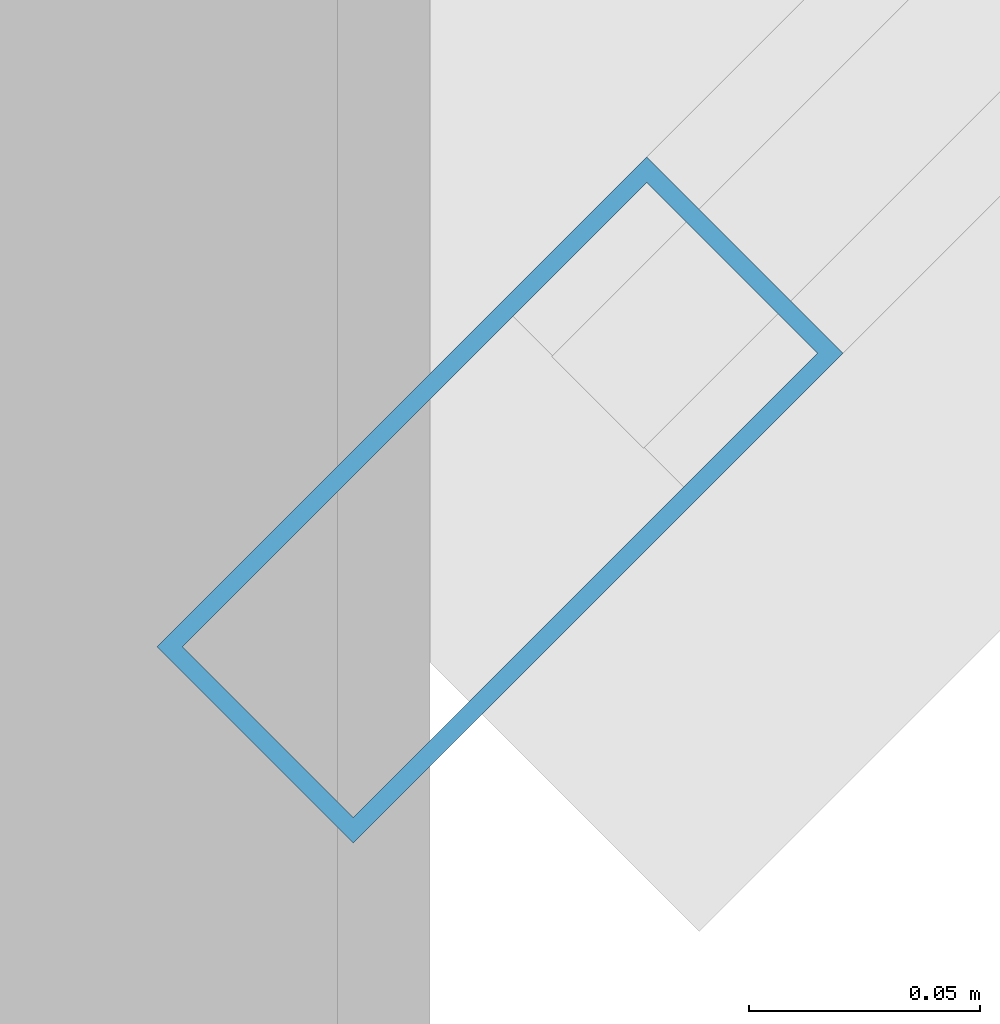
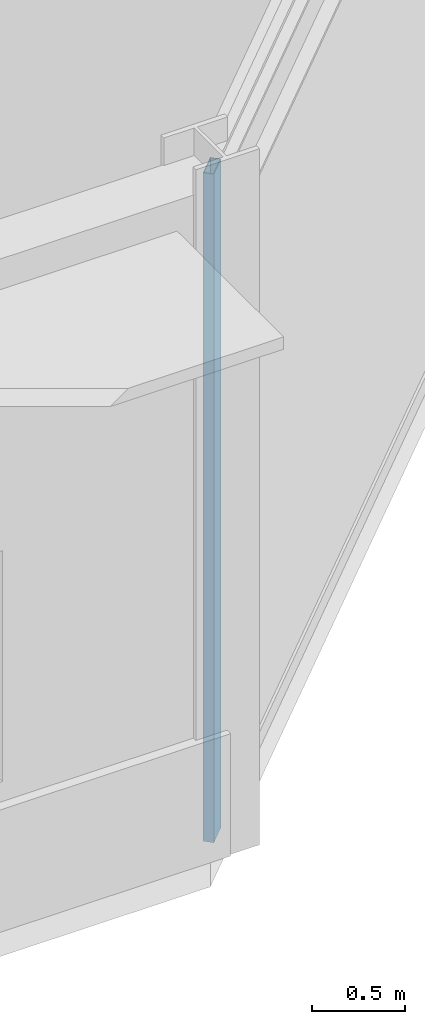
# One storey, part 53 of 157: 1 member, 1 element without a shape of its own.
"""IFC4 building model written with IfcOpenShell, lengths in metres."""

import ifcopenshell
import ifcopenshell.guid

model = None  # the IFC model being written
_history = None  # IfcOwnerHistory: only IFC2X3 demands one
_inside = {}  # id of a spatial element -> (the spatial element, [elements in it])
_under = {}  # id of a project, library or spatial element -> (it, [spatial elements below it])
_declared = {}  # id of a project -> (the project, [libraries it declares])
_typed = {}  # id of a type object -> (the type object, [elements of that type])
_made_of = {}  # id of a material, layer set ... -> (it, [elements and type objects made of it])


def new_model(schema):
    """Start an empty IFC model of exactly this schema.

    Asked for "IFC4X3", IfcOpenShell would pick the latest addendum, in which some entities
    have other attributes; the version numbers below select the first issue.
    IFC2X3 requires an IfcOwnerHistory on every rooted entity: one is made here for all.
    """
    global model, _history
    if schema == "IFC4X3":
        model = ifcopenshell.file(schema_version=(4, 3, 0, 0))
    else:
        model = ifcopenshell.file(schema=schema)
    _inside.clear()
    _under.clear()
    _declared.clear()
    _typed.clear()
    _made_of.clear()
    _history = None
    if model.schema == "IFC2X3":
        org = make("IfcOrganization", Name="unknown")
        user = make(
            "IfcPersonAndOrganization",
            ThePerson=make("IfcPerson", FamilyName="unknown"),
            TheOrganization=org,
        )
        app = make(
            "IfcApplication",
            ApplicationDeveloper=org,
            Version="unknown",
            ApplicationFullName="unknown",
            ApplicationIdentifier="unknown",
        )
        _history = make(
            "IfcOwnerHistory",
            OwningUser=user,
            OwningApplication=app,
            ChangeAction="ADDED",
            CreationDate=0,
        )
    return model


def make(cls, **values):
    """One entity of the class cls with the attributes given. An attribute that is None is left unset."""
    return model.create_entity(
        cls, **{name: value for name, value in values.items() if value is not None}
    )


def rooted(cls, **values):
    """An entity with a GlobalId (a new one), such as an element, a storey or a relation."""
    return make(cls, GlobalId=ifcopenshell.guid.new(), OwnerHistory=_history, **values)


def si_unit(unit_type, name, prefix=None):
    """IfcSIUnit, for example si_unit("LENGTHUNIT", "METRE", prefix="MILLI")."""
    return make("IfcSIUnit", UnitType=unit_type, Prefix=prefix, Name=name)


def assignment(units):
    """IfcUnitAssignment: the units of a project."""
    return None if units is None else make("IfcUnitAssignment", Units=units)


def point(xyz):
    """IfcCartesianPoint."""
    return None if xyz is None else make("IfcCartesianPoint", Coordinates=xyz)


def direction(xyz):
    """IfcDirection."""
    return None if xyz is None else make("IfcDirection", DirectionRatios=xyz)


def frame(location, z_axis=None, x_axis=None):
    """IfcAxis2Placement3D, a coordinate frame: its origin and axes. An axis left out is left unset."""
    return make(
        "IfcAxis2Placement3D",
        Location=point(location),
        Axis=direction(z_axis),
        RefDirection=direction(x_axis),
    )


def frame_2d(location, x_axis=None):
    """IfcAxis2Placement2D, a coordinate frame in the plane: its origin and x axis."""
    return make(
        "IfcAxis2Placement2D", Location=point(location), RefDirection=direction(x_axis)
    )


def origin():
    """The frame at (0, 0, 0) with its axes left unset."""
    return frame((0.0, 0.0, 0.0))


def origin_2d():
    """The frame at (0, 0) in the plane with its x axis left unset."""
    return frame_2d((0.0, 0.0))


def place(relative_to, where):
    """IfcLocalPlacement: puts the frame where relative to a parent placement (None: the world)."""
    return make(
        "IfcLocalPlacement", PlacementRelTo=relative_to, RelativePlacement=where
    )


def context(
    kind, dimensions, precision=None, world=None, true_north=None, identifier=None
):
    """IfcGeometricRepresentationContext, for example the 3D "Model" context."""
    return make(
        "IfcGeometricRepresentationContext",
        ContextIdentifier=identifier,
        ContextType=kind,
        CoordinateSpaceDimension=dimensions,
        Precision=precision,
        WorldCoordinateSystem=world,
        TrueNorth=true_north,
    )


def subcontext(parent, identifier, kind, view, scale=None):
    """IfcGeometricRepresentationSubContext, for example "Body" below "Model"."""
    return make(
        "IfcGeometricRepresentationSubContext",
        ContextIdentifier=identifier,
        ContextType=kind,
        ParentContext=parent,
        TargetScale=scale,
        TargetView=view,
    )


def project(units=None, contexts=None):
    """IfcProject with its units and contexts."""
    return rooted(
        "IfcProject",
        Name="project",
        RepresentationContexts=contexts,
        UnitsInContext=assignment(units),
    )


def spatial(cls, under=None, at=None, **own):
    """A site, building, storey or space (cls), placed at a placement, below another one or the project."""
    s = rooted(cls, ObjectPlacement=at, **own)
    if under is not None:
        _under.setdefault(under.id(), (under, []))[1].append(s)
    return s


def profile(cls, at=None, kind="AREA", **sizes):
    """A parametric profile (cls). Its sizes go by their IFC names, for example OverallWidth=200.0."""
    return make(cls, ProfileType=kind, Position=at, **sizes)


def hollow_rectangle(**sizes):
    """IfcRectangleHollowProfileDef."""
    return profile("IfcRectangleHollowProfileDef", **sizes)


def extrude(swept, where, along, depth):
    """IfcExtrudedAreaSolid: the profile swept, set in the frame where, extruded along a direction by depth."""
    return make(
        "IfcExtrudedAreaSolid",
        SweptArea=swept,
        Position=where,
        ExtrudedDirection=direction(along),
        Depth=depth,
    )


def shape(context_of_items, identifier, shape_type, items):
    """IfcShapeRepresentation: the items that make up one representation, for example the "Body"."""
    return make(
        "IfcShapeRepresentation",
        ContextOfItems=context_of_items,
        RepresentationIdentifier=identifier,
        RepresentationType=shape_type,
        Items=items,
    )


def material(Name=None, Category=None):
    """IfcMaterial."""
    return make("IfcMaterial", Name=Name, Category=Category)


def material_profile(
    of_material, cross_section, Name=None, Category=None, Priority=None
):
    """IfcMaterialProfile: a cross section and its material."""
    return make(
        "IfcMaterialProfile",
        Name=Name,
        Material=of_material,
        Profile=cross_section,
        Priority=Priority,
        Category=Category,
    )


def profile_set(profiles, Name=None, composite=None):
    """IfcMaterialProfileSet."""
    return make(
        "IfcMaterialProfileSet",
        Name=Name,
        MaterialProfiles=profiles,
        CompositeProfile=composite,
    )


def made_of(thing, what):
    """Note that an element or type object is made of a material, layer set ...; save() writes the relation."""
    if what is not None:
        _made_of.setdefault(what.id(), (what, []))[1].append(thing)
    return thing


def type_object(cls, material=None, **own):
    """A type object (cls), such as IfcWallType, which elements share."""
    return made_of(rooted(cls, **own), material)


def element(
    cls,
    number,
    at=None,
    inside=None,
    cuts=None,
    type_object=None,
    material=None,
    context=None,
    identifier="Body",
    shape_type=None,
    held_by="IfcProductDefinitionShape",
    body=None,
    shapes=None,
    **own,
):
    """One element of the class cls, such as IfcWall. Its Tag is "e" and its number.

    at: its placement. inside: the storey or other place that contains it. cuts: it is an
    opening in that element (IfcRelVoidsElement). A single representation is given by context,
    identifier, shape_type and body (its items); several are given by shapes. held_by: the class
    of the entity that holds the representations. save() writes the other relations.
    """
    e = rooted(cls, Tag="e%d" % number, ObjectPlacement=at, **own)
    if body is not None:
        shapes = [shape(context, identifier, shape_type, body)]
    if shapes is not None:
        e.Representation = make(held_by, Representations=shapes)
    if inside is not None:
        _inside.setdefault(inside.id(), (inside, []))[1].append(e)
    if cuts is not None:
        rooted(
            "IfcRelVoidsElement", RelatingBuildingElement=cuts, RelatedOpeningElement=e
        )
    if type_object is not None:
        _typed.setdefault(type_object.id(), (type_object, []))[1].append(e)
    return made_of(e, material)


def aggregate(whole, parts):
    """IfcRelAggregates: a whole, such as a stair, and the parts it consists of."""
    return rooted("IfcRelAggregates", RelatingObject=whole, RelatedObjects=parts)


def save(model, path):
    """Write the relations noted so far, then the file.

    IfcRelAggregates (storeys below a building ...), IfcRelContainedInSpatialStructure (elements
    in a storey), IfcRelDefinesByType, IfcRelAssociatesMaterial and IfcRelDeclares: one each for
    every whole, place, type object, material and project.
    """
    for whole, parts in _under.values():
        aggregate(whole, parts)
    for where, things in _inside.values():
        rooted(
            "IfcRelContainedInSpatialStructure",
            RelatedElements=things,
            RelatingStructure=where,
        )
    for kind, things in _typed.values():
        rooted("IfcRelDefinesByType", RelatedObjects=things, RelatingType=kind)
    for what, things in _made_of.values():
        rooted("IfcRelAssociatesMaterial", RelatedObjects=things, RelatingMaterial=what)
    for by, libraries in _declared.values():
        rooted("IfcRelDeclares", RelatingContext=by, RelatedDefinitions=libraries)
    model.write(path)


model = new_model("IFC4")

# Units and contexts
model_context = context("Model", 3, precision=1e-05, world=origin(), true_north=direction((0.0, 1.0)))
body_context = subcontext(model_context, "Body", "Model", "MODEL_VIEW")
ifc_project = project(units=[si_unit("LENGTHUNIT", "METRE"), si_unit("AREAUNIT", "SQUARE_METRE"), si_unit("VOLUMEUNIT", "CUBIC_METRE"), si_unit("PLANEANGLEUNIT", "RADIAN"), si_unit("MASSUNIT", "GRAM", prefix="KILO")], contexts=[model_context])

# Site, building, storey
site_placement = place(None, origin())
site = spatial("IfcSite", under=ifc_project, at=site_placement, CompositionType="ELEMENT")
building_placement = place(site_placement, origin())
building = spatial("IfcBuilding", under=site, at=building_placement, Name="Almandine Court Research Institute", CompositionType="ELEMENT")
storey_placement = place(building_placement, frame((0.0, 0.0, 5.25)))
storey = spatial("IfcBuildingStorey", under=building, at=storey_placement, Name="L01", CompositionType="ELEMENT", Elevation=5.25)

# Curtain wall, member
ifc_material_1 = material(Name="Unitised Curtain Wall Framing and Solar Glazing", Category="glass")
curtain_wall_type = type_object("IfcCurtainWallType", Name="CW-CWG-05", PredefinedType="USERDEFINED", material=ifc_material_1)
curtain_wall_placement = place(storey_placement, origin())
curtain_wall = element("IfcCurtainWall", 1, at=curtain_wall_placement, inside=storey, type_object=curtain_wall_type, Name="L01 Cleanroom SE Chamfer Glazing", ObjectType="UNITISED GLAZING", PredefinedType="USERDEFINED")
ifc_material_2 = material(Name="Anodised Aluminium AW-6063-T6", Category="aluminium")
ifc_material_profile = material_profile(ifc_material_2, hollow_rectangle(XDim=0.06005859375, YDim=0.14990234375, WallThickness=0.00390625, at=origin_2d()), Name="ALU RHS 60x150x4")
ifc_profile_set = profile_set([ifc_material_profile], Name="Anodised Aluminium AW-6063-T6")
member_type = type_object("IfcMemberType", Name="CWMul-60x150", PredefinedType="MULLION", material=ifc_profile_set)
member_placement = place(storey_placement, frame((30.025146484375, 84.025146484375, 0.0), z_axis=(0.0, 0.0, 1.0), x_axis=(0.707106781187, -0.707106781187, 0.0)))
member = element("IfcMember", 2, at=member_placement, type_object=member_type, Name="CWG-05 mullion 2", PredefinedType="MULLION", context=body_context, shape_type="SweptSolid", body=[
    extrude(hollow_rectangle(XDim=0.06005859375, YDim=0.14990234375, WallThickness=0.00390625, at=origin_2d()), origin(), (0.0, 0.0, 1.0), 4.3701171875),
])
aggregate(curtain_wall, [member])

save(model, "model.ifc")
